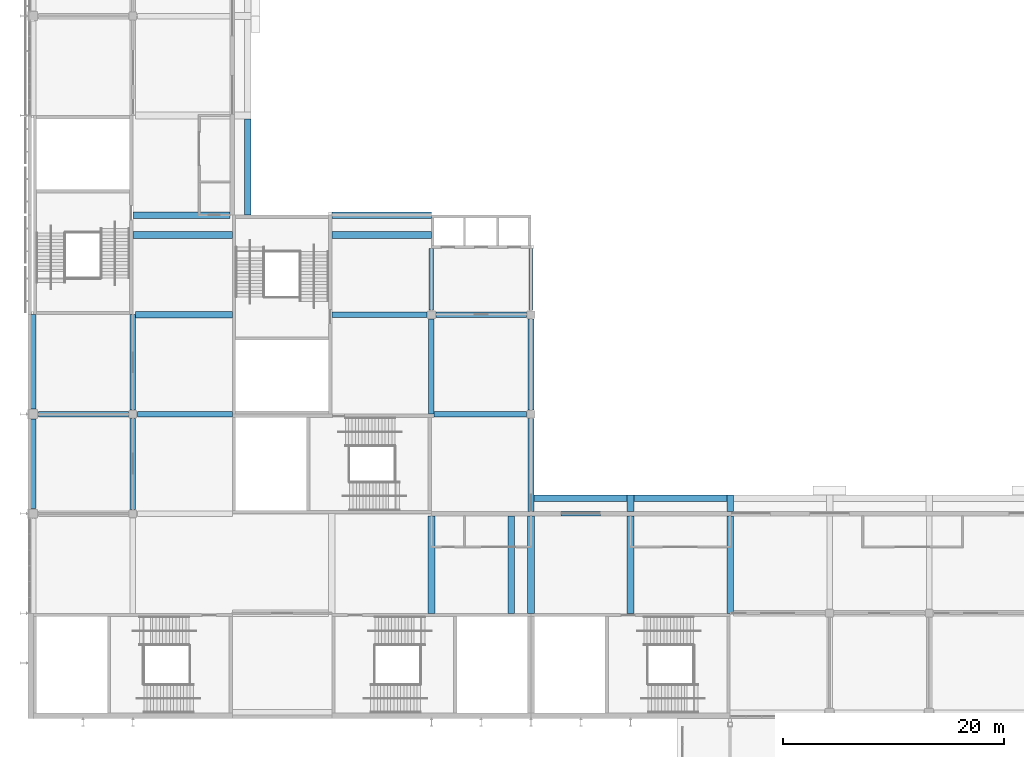
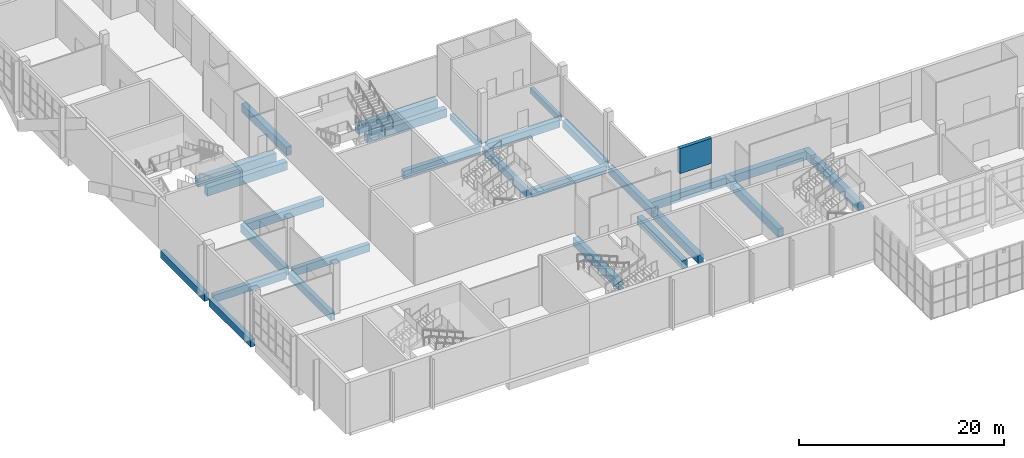
# One storey, part 8 of 89: 30 beams.
"""IFC4 building model written with IfcOpenShell, lengths in metres."""

from ifc_helpers import new_model, si_unit, direction, frame, origin, origin_2d, place, context, subcontext, project, spatial, rectangle, extrude, material, material_profile, profile_set, type_object, element, save


model = new_model("IFC4")

# Units and contexts
model_context = context("Model", 3, precision=1e-05, world=origin(), true_north=direction((0.0, 1.0)))
body_context = subcontext(model_context, "Body", "Model", "MODEL_VIEW")
ifc_project = project(units=[si_unit("LENGTHUNIT", "METRE"), si_unit("AREAUNIT", "SQUARE_METRE"), si_unit("VOLUMEUNIT", "CUBIC_METRE"), si_unit("PLANEANGLEUNIT", "RADIAN"), si_unit("MASSUNIT", "GRAM", prefix="KILO")], contexts=[model_context])

# Site, building, storey
site_placement = place(None, origin())
site = spatial("IfcSite", under=ifc_project, at=site_placement, CompositionType="ELEMENT")
building_placement = place(site_placement, origin())
building = spatial("IfcBuilding", under=site, at=building_placement, Name="Silverbay Arena", CompositionType="ELEMENT")
storey_placement = place(building_placement, frame((0.0, 0.0, 22.0)))
storey = spatial("IfcBuildingStorey", under=building, at=storey_placement, Name="L03", CompositionType="ELEMENT", Elevation=22.0)

# Beams
ifc_material_1 = material(Name="Concrete Grade C45", Category="concrete")
ifc_material_profile_1 = material_profile(ifc_material_1, rectangle(XDim=0.39990234375, YDim=0.699951171875, at=origin_2d()), Name="RC 400x700")
ifc_profile_set_1 = profile_set([ifc_material_profile_1], Name="Concrete Grade C45")
beam_type_1 = type_object("IfcBeamType", Name="RC beam 400x700", PredefinedType="BEAM", material=ifc_profile_set_1)
for number, where, z_axis, x_axis, name in (
    (1, (90.0, 54.39990234375, -0.699951171875), (0.0, 1.0, 0.0), (-1.0, 0.0, 0.0), "Floor beam L03 103"),
    (2, (99.0, 54.39990234375, -0.699951171875), (0.0, 1.0, 0.0), (-1.0, 0.0, 0.0), "Floor beam L03 112"),
):
    element("IfcBeam", number, at=place(storey_placement, frame(where, z_axis=z_axis, x_axis=x_axis)), inside=storey, type_object=beam_type_1, Name=name, PredefinedType="BEAM", context=body_context, shape_type="SweptSolid", body=[
        extrude(rectangle(XDim=0.39990234375, YDim=0.699951171875, at=origin_2d()), origin(), (0.0, 0.0, 1.0), 5.60009765625),
    ])
ifc_material_2 = material(Name="Concrete Grade C45", Category="concrete")
ifc_material_profile_2 = material_profile(ifc_material_2, rectangle(XDim=0.5, YDim=1.0, at=origin_2d()), Name="RC 500x1000")
ifc_profile_set_2 = profile_set([ifc_material_profile_2], Name="Concrete Grade C45")
beam_type_2 = type_object("IfcBeamType", Name="RC beam 500x1000", PredefinedType="BEAM", material=ifc_profile_set_2)
beam_1_placement = place(storey_placement, frame((63.0, 45.39990234375, -0.85009765625), z_axis=(0.0, 1.0, 0.0), x_axis=(-1.0, 0.0, 0.0)))
element("IfcBeam", 3, at=beam_1_placement, inside=storey, type_object=beam_type_2, Name="Floor beam L03 093", PredefinedType="BEAM", context=body_context, shape_type="SweptSolid", body=[
    extrude(rectangle(XDim=0.5, YDim=1.0, at=origin_2d()), origin(), (0.0, 0.0, 1.0), 8.60009765625),
])
beam_2_placement = place(storey_placement, frame((99.0, 36.199951171875, -0.85009765625), z_axis=(0.0, 1.0, 0.0), x_axis=(-1.0, 0.0, 0.0)))
element("IfcBeam", 4, at=beam_2_placement, inside=storey, type_object=beam_type_2, Name="Floor beam L03 110", PredefinedType="BEAM", context=body_context, shape_type="SweptSolid", body=[
    extrude(rectangle(XDim=0.5, YDim=1.0, at=origin_2d()), origin(), (0.0, 0.0, 1.0), 8.400146484375),
])
ifc_material_3 = material(Name="Concrete Grade C45", Category="concrete")
ifc_material_profile_3 = material_profile(ifc_material_3, rectangle(XDim=0.5, YDim=0.89990234375, at=origin_2d()), Name="RC 500x900")
ifc_profile_set_3 = profile_set([ifc_material_profile_3], Name="Concrete Grade C45")
beam_type_3 = type_object("IfcBeamType", Name="RC beam 500x900", PredefinedType="BEAM", material=ifc_profile_set_3)
beam_3_placement = place(storey_placement, frame((54.449951171875, 45.0, -0.800048828125), z_axis=(1.0, 0.0, 0.0), x_axis=(0.0, 1.0, 0.0)))
element("IfcBeam", 5, at=beam_3_placement, inside=storey, type_object=beam_type_3, Name="Floor beam L03 015", PredefinedType="BEAM", context=body_context, shape_type="SweptSolid", body=[
    extrude(rectangle(XDim=0.5, YDim=0.89990234375, at=origin_2d()), origin(), (0.0, 0.0, 1.0), 8.150146484375),
])
beam_4_placement = place(storey_placement, frame((63.39990234375, 45.0, -0.800048828125), z_axis=(1.0, 0.0, 0.0), x_axis=(0.0, 1.0, 0.0)))
element("IfcBeam", 6, at=beam_4_placement, inside=storey, type_object=beam_type_3, Name="Floor beam L03 016", PredefinedType="BEAM", context=body_context, shape_type="SweptSolid", body=[
    extrude(rectangle(XDim=0.5, YDim=0.89990234375, at=origin_2d()), origin(), (0.0, 0.0, 1.0), 8.60009765625),
])
beam_5_placement = place(storey_placement, frame((90.25, 45.0, -0.800048828125), z_axis=(1.0, 0.0, 0.0), x_axis=(0.0, 1.0, 0.0)))
element("IfcBeam", 7, at=beam_5_placement, inside=storey, type_object=beam_type_3, Name="Floor beam L03 017", PredefinedType="BEAM", context=body_context, shape_type="SweptSolid", body=[
    extrude(rectangle(XDim=0.5, YDim=0.89990234375, at=origin_2d()), origin(), (0.0, 0.0, 1.0), 8.35009765625),
])
beam_6_placement = place(storey_placement, frame((81.0, 54.0, -0.800048828125), z_axis=(1.0, 0.0, 0.0), x_axis=(0.0, 1.0, 0.0)))
element("IfcBeam", 8, at=beam_6_placement, inside=storey, type_object=beam_type_3, Name="Floor beam L03 022", PredefinedType="BEAM", context=body_context, shape_type="SweptSolid", body=[
    extrude(rectangle(XDim=0.5, YDim=0.89990234375, at=origin_2d()), origin(), (0.0, 0.0, 1.0), 8.60009765625),
])
beam_7_placement = place(storey_placement, frame((90.39990234375, 54.0, -0.800048828125), z_axis=(1.0, 0.0, 0.0), x_axis=(0.0, 1.0, 0.0)))
element("IfcBeam", 9, at=beam_7_placement, inside=storey, type_object=beam_type_3, Name="Floor beam L03 023", PredefinedType="BEAM", context=body_context, shape_type="SweptSolid", body=[
    extrude(rectangle(XDim=0.5, YDim=0.89990234375, at=origin_2d()), origin(), (0.0, 0.0, 1.0), 8.2001953125),
])
beam_8_placement = place(storey_placement, frame((54.0, 36.449951171875, -0.800048828125), z_axis=(0.0, 1.0, 0.0), x_axis=(-1.0, 0.0, 0.0)))
element("IfcBeam", 10, at=beam_8_placement, inside=storey, type_object=beam_type_3, Name="Floor beam L03 084", PredefinedType="BEAM", context=body_context, shape_type="SweptSolid", body=[
    extrude(rectangle(XDim=0.5, YDim=0.89990234375, at=origin_2d()), origin(), (0.0, 0.0, 1.0), 8.10009765625),
])
beam_9_placement = place(storey_placement, frame((54.0, 45.449951171875, -0.800048828125), z_axis=(0.0, 1.0, 0.0), x_axis=(-1.0, 0.0, 0.0)))
element("IfcBeam", 11, at=beam_9_placement, inside=storey, type_object=beam_type_3, Name="Floor beam L03 085", PredefinedType="BEAM", context=body_context, shape_type="SweptSolid", body=[
    extrude(rectangle(XDim=0.5, YDim=0.89990234375, at=origin_2d()), origin(), (0.0, 0.0, 1.0), 8.550048828125),
])
beam_10_placement = place(storey_placement, frame((63.0, 36.39990234375, -0.800048828125), z_axis=(0.0, 1.0, 0.0), x_axis=(-1.0, 0.0, 0.0)))
element("IfcBeam", 12, at=beam_10_placement, inside=storey, type_object=beam_type_3, Name="Floor beam L03 092", PredefinedType="BEAM", context=body_context, shape_type="SweptSolid", body=[
    extrude(rectangle(XDim=0.5, YDim=0.89990234375, at=origin_2d()), origin(), (0.0, 0.0, 1.0), 8.2001953125),
])
beam_11_placement = place(storey_placement, frame((90.0, 45.0, -0.800048828125), z_axis=(0.0, 1.0, 0.0), x_axis=(-1.0, 0.0, 0.0)))
element("IfcBeam", 13, at=beam_11_placement, inside=storey, type_object=beam_type_3, Name="Floor beam L03 102", PredefinedType="BEAM", context=body_context, shape_type="SweptSolid", body=[
    extrude(rectangle(XDim=0.5, YDim=0.89990234375, at=origin_2d()), origin(), (0.0, 0.0, 1.0), 8.60009765625),
])
beam_12_placement = place(storey_placement, frame((99.0, 45.39990234375, -0.800048828125), z_axis=(0.0, 1.0, 0.0), x_axis=(-1.0, 0.0, 0.0)))
element("IfcBeam", 14, at=beam_12_placement, inside=storey, type_object=beam_type_3, Name="Floor beam L03 111", PredefinedType="BEAM", context=body_context, shape_type="SweptSolid", body=[
    extrude(rectangle(XDim=0.5, YDim=0.89990234375, at=origin_2d()), origin(), (0.0, 0.0, 1.0), 8.2001953125),
])
ifc_material_4 = material(Name="Concrete Grade C45", Category="concrete")
ifc_material_profile_4 = material_profile(ifc_material_4, rectangle(XDim=0.60009765625, YDim=1.0, at=origin_2d()), Name="RC 600x1000")
ifc_profile_set_4 = profile_set([ifc_material_profile_4], Name="Concrete Grade C45")
beam_type_4 = type_object("IfcBeamType", Name="RC beam 600x1000", PredefinedType="BEAM", material=ifc_profile_set_4)
beam_13_placement = place(storey_placement, frame((63.25, 54.0, -0.85009765625), z_axis=(1.0, 0.0, 0.0), x_axis=(0.0, 1.0, 0.0)))
element("IfcBeam", 15, at=beam_13_placement, inside=storey, type_object=beam_type_4, Name="Floor beam L03 021", PredefinedType="BEAM", context=body_context, shape_type="SweptSolid", body=[
    extrude(rectangle(XDim=0.60009765625, YDim=1.0, at=origin_2d()), origin(), (0.0, 0.0, 1.0), 8.75),
])
for number, where, z_axis, x_axis, name in (
    (16, (63.0, 61.199951171875, -0.85009765625), (1.0, 0.0, 0.0), (0.0, 1.0, 0.0), "Floor beam L03 027"),
    (17, (81.0, 61.199951171875, -0.85009765625), (1.0, 0.0, 0.0), (0.0, 1.0, 0.0), "Floor beam L03 028"),
):
    element("IfcBeam", number, at=place(storey_placement, frame(where, z_axis=z_axis, x_axis=x_axis)), inside=storey, type_object=beam_type_4, Name=name, PredefinedType="BEAM", context=body_context, shape_type="SweptSolid", body=[
        extrude(rectangle(XDim=0.60009765625, YDim=1.0, at=origin_2d()), origin(), (0.0, 0.0, 1.0), 9.0),
    ])
beam_14_placement = place(storey_placement, frame((63.0, 63.0, -0.85009765625), z_axis=(1.0, 0.0, 0.0), x_axis=(0.0, 1.0, 0.0)))
element("IfcBeam", 18, at=beam_14_placement, inside=storey, type_object=beam_type_4, Name="Floor beam L03 031", PredefinedType="BEAM", context=body_context, shape_type="SweptSolid", body=[
    extrude(rectangle(XDim=0.60009765625, YDim=1.0, at=origin_2d()), origin(), (0.0, 0.0, 1.0), 8.800048828125),
])
beam_15_placement = place(storey_placement, frame((81.0, 63.0, -0.85009765625), z_axis=(1.0, 0.0, 0.0), x_axis=(0.0, 1.0, 0.0)))
element("IfcBeam", 19, at=beam_15_placement, inside=storey, type_object=beam_type_4, Name="Floor beam L03 032", PredefinedType="BEAM", context=body_context, shape_type="SweptSolid", body=[
    extrude(rectangle(XDim=0.60009765625, YDim=1.0, at=origin_2d()), origin(), (0.0, 0.0, 1.0), 9.0),
])
for number, where, z_axis, x_axis, name in (
    (20, (90.0, 27.0, -0.85009765625), (0.0, 1.0, 0.0), (-1.0, 0.0, 0.0), "Floor beam L03 101"),
    (21, (97.199951171875, 27.0, -0.85009765625), (0.0, 1.0, 0.0), (-1.0, 0.0, 0.0), "Floor beam L03 107"),
    (22, (99.0, 27.0, -0.85009765625), (0.0, 1.0, 0.0), (-1.0, 0.0, 0.0), "Floor beam L03 109"),
    (23, (108.0, 27.0, -0.85009765625), (0.0, 1.0, 0.0), (-1.0, 0.0, 0.0), "Floor beam L03 117"),
):
    element("IfcBeam", number, at=place(storey_placement, frame(where, z_axis=z_axis, x_axis=x_axis)), inside=storey, type_object=beam_type_4, Name=name, PredefinedType="BEAM", context=body_context, shape_type="SweptSolid", body=[
        extrude(rectangle(XDim=0.60009765625, YDim=1.0, at=origin_2d()), origin(), (0.0, 0.0, 1.0), 8.800048828125),
    ])
beam_16_placement = place(storey_placement, frame((108.0, 36.199951171875, -0.85009765625), z_axis=(0.0, 1.0, 0.0), x_axis=(-1.0, 0.0, 0.0)))
element("IfcBeam", 24, at=beam_16_placement, inside=storey, type_object=beam_type_4, Name="Floor beam L03 118", PredefinedType="BEAM", context=body_context, shape_type="SweptSolid", body=[
    extrude(rectangle(XDim=0.60009765625, YDim=1.0, at=origin_2d()), origin(), (0.0, 0.0, 1.0), 1.5),
])
beam_17_placement = place(storey_placement, frame((117.0, 27.0, -0.85009765625), z_axis=(0.0, 1.0, 0.0), x_axis=(-1.0, 0.0, 0.0)))
element("IfcBeam", 25, at=beam_17_placement, inside=storey, type_object=beam_type_4, Name="Floor beam L03 121", PredefinedType="BEAM", context=body_context, shape_type="SweptSolid", body=[
    extrude(rectangle(XDim=0.60009765625, YDim=1.0, at=origin_2d()), origin(), (0.0, 0.0, 1.0), 8.800048828125),
])
beam_18_placement = place(storey_placement, frame((117.0, 36.199951171875, -0.85009765625), z_axis=(0.0, 1.0, 0.0), x_axis=(-1.0, 0.0, 0.0)))
element("IfcBeam", 26, at=beam_18_placement, inside=storey, type_object=beam_type_4, Name="Floor beam L03 122", PredefinedType="BEAM", context=body_context, shape_type="SweptSolid", body=[
    extrude(rectangle(XDim=0.60009765625, YDim=1.0, at=origin_2d()), origin(), (0.0, 0.0, 1.0), 1.5),
])
beam_19_placement = place(storey_placement, frame((99.25, 37.39990234375, -0.85009765625), z_axis=(1.0, 0.0, 0.0), x_axis=(0.0, 1.0, 0.0)))
element("IfcBeam", 27, at=beam_19_placement, inside=storey, type_object=beam_type_4, Name="Floor beam L03 179", PredefinedType="BEAM", context=body_context, shape_type="SweptSolid", body=[
    extrude(rectangle(XDim=0.60009765625, YDim=1.0, at=origin_2d()), origin(), (0.0, 0.0, 1.0), 8.449951171875),
])
beam_20_placement = place(storey_placement, frame((108.300048828125, 37.39990234375, -0.85009765625), z_axis=(1.0, 0.0, 0.0), x_axis=(0.0, 1.0, 0.0)))
element("IfcBeam", 28, at=beam_20_placement, inside=storey, type_object=beam_type_4, Name="Floor beam L03 180", PredefinedType="BEAM", context=body_context, shape_type="SweptSolid", body=[
    extrude(rectangle(XDim=0.60009765625, YDim=1.0, at=origin_2d()), origin(), (0.0, 0.0, 1.0), 8.39990234375),
])
beam_21_placement = place(storey_placement, frame((73.39990234375, 63.0, -0.85009765625), z_axis=(0.0, 1.0, 0.0), x_axis=(-1.0, 0.0, 0.0)))
element("IfcBeam", 29, at=beam_21_placement, inside=storey, type_object=beam_type_4, Name="Floor beam L03 193", PredefinedType="BEAM", context=body_context, shape_type="SweptSolid", body=[
    extrude(rectangle(XDim=0.60009765625, YDim=1.0, at=origin_2d()), origin(), (0.0, 0.0, 1.0), 8.699951171875),
])
ifc_material_5 = material(Name="Concrete Grade C45", Category="concrete")
ifc_material_profile_5 = material_profile(ifc_material_5, rectangle(XDim=0.39990234375, YDim=3.0, at=origin_2d()), Name="RC 400x3000")
ifc_profile_set_5 = profile_set([ifc_material_profile_5], Name="Concrete Grade C45")
beam_type_5 = type_object("IfcBeamType", Name="RC lintel 400x3000", PredefinedType="BEAM", material=ifc_profile_set_5)
beam_22_placement = place(storey_placement, frame((101.699951171875, 36.0, 4.5), z_axis=(1.0, 0.0, 0.0), x_axis=(0.0, 1.0, 0.0)))
element("IfcBeam", 30, at=beam_22_placement, inside=storey, type_object=beam_type_5, Name="Lintel over portal L03-S1035", PredefinedType="BEAM", context=body_context, shape_type="SweptSolid", body=[
    extrude(rectangle(XDim=0.39990234375, YDim=3.0, at=origin_2d()), origin(), (0.0, 0.0, 1.0), 3.60009765625),
])

save(model, "model.ifc")
